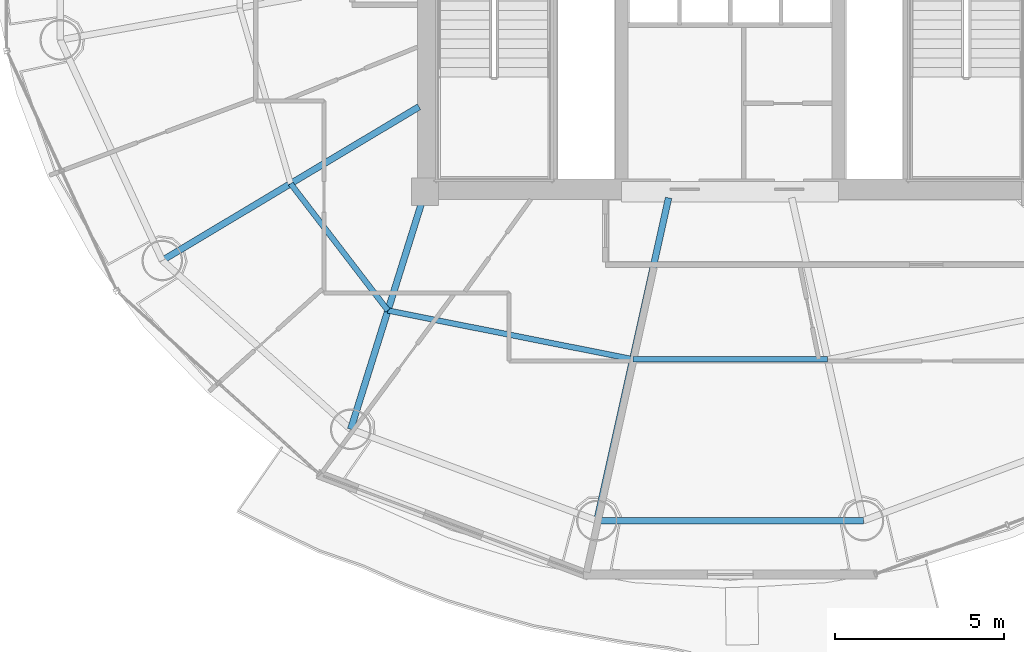
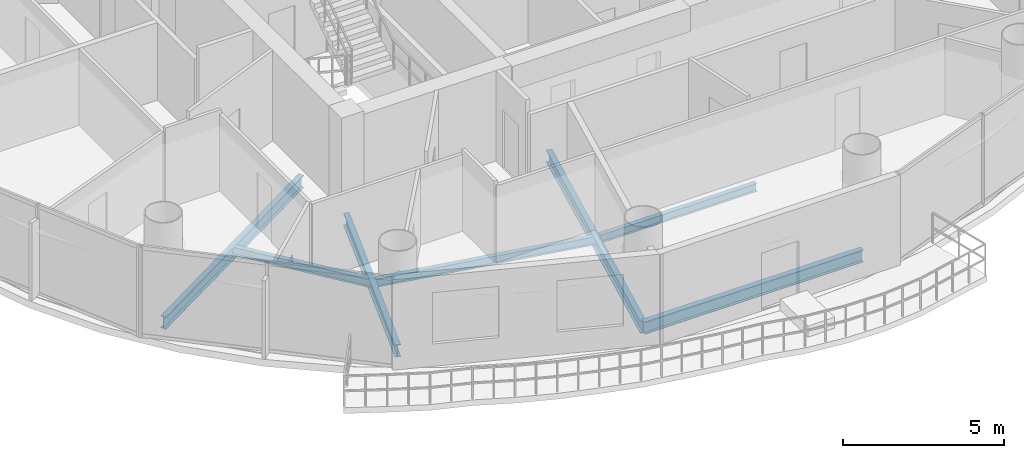
# One storey, part 4 of 26: 7 beams.
"""IFC4 building model written with IfcOpenShell, lengths in metres."""

from ifc_helpers import new_model, si_unit, direction, frame, origin, origin_2d, place, context, subcontext, project, spatial, i_section, extrude, material, material_profile, profile_set, type_object, element, save


model = new_model("IFC4")

# Units and contexts
model_context = context("Model", 3, precision=1e-05, world=origin(), true_north=direction((-0.2419218956, 0.970295726276)))
body_context = subcontext(model_context, "Body", "Model", "MODEL_VIEW")
ifc_project = project(units=[si_unit("LENGTHUNIT", "METRE"), si_unit("AREAUNIT", "SQUARE_METRE"), si_unit("VOLUMEUNIT", "CUBIC_METRE"), si_unit("PLANEANGLEUNIT", "RADIAN"), si_unit("MASSUNIT", "GRAM", prefix="KILO")], contexts=[model_context])

# Site, building, storey
site_placement = place(None, origin())
site = spatial("IfcSite", under=ifc_project, at=site_placement, CompositionType="ELEMENT")
building_placement = place(site_placement, origin())
building = spatial("IfcBuilding", under=site, at=building_placement, Name="Cobrevalo Terracotta Tower", CompositionType="ELEMENT")
storey_placement = place(building_placement, frame((0.0, 0.0, 217.10009765625)))
storey = spatial("IfcBuildingStorey", under=building, at=storey_placement, Name="L57", CompositionType="ELEMENT", Elevation=217.10009765625)

# Beams
ifc_material = material(Name="Steel S355", Category="steel")
ifc_material_profile_1 = material_profile(ifc_material, i_section(OverallWidth=0.194091796875, OverallDepth=0.468994140625, WebThickness=0.011474609375, FlangeThickness=0.0205078125, at=origin_2d()), Name="W 460x106")
ifc_profile_set_1 = profile_set([ifc_material_profile_1], Name="Steel S355")
beam_type_1 = type_object("IfcBeamType", Name="Structural Beam W 460x106 (Steel S355)", PredefinedType="BEAM", material=ifc_profile_set_1)
beam_1_placement = place(storey_placement, frame((21.245849609375, 16.77197265625, -0.49951171875), z_axis=(0.858046392192, 0.513572184651, 0.0), x_axis=(-0.513572184651, 0.858046392192, 0.0)))
element("IfcBeam", 1, at=beam_1_placement, inside=storey, type_object=beam_type_1, Name="L57 radial floor girder 10", PredefinedType="BEAM", context=body_context, shape_type="SweptSolid", body=[
    extrude(i_section(OverallWidth=0.194091796875, OverallDepth=0.468994140625, WebThickness=0.011474609375, FlangeThickness=0.0205078125, at=origin_2d()), origin(), (0.0, 0.0, 1.0), 8.827392578125),
])
beam_2_placement = place(storey_placement, frame((26.80517578125, 11.7919921875, -0.49951171875), z_axis=(0.298871212691, 0.954293454984, 0.0), x_axis=(-0.954293454984, 0.298871212691, 0.0)))
element("IfcBeam", 2, at=beam_2_placement, inside=storey, type_object=beam_type_1, Name="L57 radial floor girder 11", PredefinedType="BEAM", context=body_context, shape_type="SweptSolid", body=[
    extrude(i_section(OverallWidth=0.194091796875, OverallDepth=0.468994140625, WebThickness=0.011474609375, FlangeThickness=0.0205078125, at=origin_2d()), origin(), (0.0, 0.0, 1.0), 7.34375),
])
beam_3_placement = place(storey_placement, frame((34.06884765625, 9.096923828125, -0.49951171875), z_axis=(0.216782061165, 0.976220025382, 0.0), x_axis=(-0.976220025382, 0.216782061165, 0.0)))
element("IfcBeam", 3, at=beam_3_placement, inside=storey, type_object=beam_type_1, Name="L57 radial floor girder 12", PredefinedType="BEAM", context=body_context, shape_type="SweptSolid", body=[
    extrude(i_section(OverallWidth=0.194091796875, OverallDepth=0.468994140625, WebThickness=0.011474609375, FlangeThickness=0.0205078125, at=origin_2d()), origin(), (0.0, 0.0, 1.0), 9.755126953125),
])
ifc_material_profile_2 = material_profile(ifc_material, i_section(OverallWidth=0.1650390625, OverallDepth=0.31005859375, WebThickness=0.005859375, FlangeThickness=0.009765625, at=origin_2d()), Name="W 310x38.7")
ifc_profile_set_2 = profile_set([ifc_material_profile_2], Name="Steel S355")
beam_type_2 = type_object("IfcBeamType", Name="Structural Joist W 310x38.7 (Steel S355)", PredefinedType="JOIST", material=ifc_profile_set_2)
beam_4_placement = place(storey_placement, frame((25.032958984375, 19.03857421875, -0.420166015625), z_axis=(0.608464146296, -0.793581364872, 0.0), x_axis=(0.793581364872, 0.608464146296, 0.0)))
element("IfcBeam", 4, at=beam_4_placement, inside=storey, type_object=beam_type_2, Name="L57 circumferential secondary floor joist 10", PredefinedType="JOIST", context=body_context, shape_type="SweptSolid", body=[
    extrude(i_section(OverallWidth=0.1650390625, OverallDepth=0.31005859375, WebThickness=0.005859375, FlangeThickness=0.009765625, at=origin_2d()), origin(), (0.0, 0.0, 1.0), 4.716064453125),
])
beam_5_placement = place(storey_placement, frame((27.902587890625, 15.2958984375, -0.420166015625), z_axis=(0.980768907748, -0.195172614871, 0.0), x_axis=(0.195172614871, 0.980768907748, 0.0)))
element("IfcBeam", 5, at=beam_5_placement, inside=storey, type_object=beam_type_2, Name="L57 circumferential secondary floor joist 11", PredefinedType="JOIST", context=body_context, shape_type="SweptSolid", body=[
    extrude(i_section(OverallWidth=0.1650390625, OverallDepth=0.31005859375, WebThickness=0.005859375, FlangeThickness=0.009765625, at=origin_2d()), origin(), (0.0, 0.0, 1.0), 7.365234375),
])
beam_6_placement = place(storey_placement, frame((35.126220703125, 13.8583984375, -0.420166015625), z_axis=(1.0, 0.0, 0.0), x_axis=(0.0, 1.0, 0.0)))
element("IfcBeam", 6, at=beam_6_placement, inside=storey, type_object=beam_type_2, Name="L57 circumferential secondary floor joist 12", PredefinedType="JOIST", context=body_context, shape_type="SweptSolid", body=[
    extrude(i_section(OverallWidth=0.1650390625, OverallDepth=0.31005859375, WebThickness=0.005859375, FlangeThickness=0.009765625, at=origin_2d()), origin(), (0.0, 0.0, 1.0), 5.74755859375),
])
ifc_material_profile_3 = material_profile(ifc_material, i_section(OverallWidth=0.194091796875, OverallDepth=0.468994140625, WebThickness=0.011474609375, FlangeThickness=0.0205078125, at=origin_2d()), Name="W 460x106")
ifc_profile_set_3 = profile_set([ifc_material_profile_3], Name="Steel S355")
beam_type_3 = type_object("IfcBeamType", Name="Structural Spandrel W 460x106 (Steel S355)", PredefinedType="SPANDREL", material=ifc_profile_set_3)
beam_7_placement = place(storey_placement, frame((34.06884765625, 9.096923828125, -0.49951171875), z_axis=(1.0, 0.0, 0.0), x_axis=(0.0, 1.0, 0.0)))
element("IfcBeam", 7, at=beam_7_placement, inside=storey, type_object=beam_type_3, Name="L57 perimeter ring spandrel 12", PredefinedType="SPANDREL", context=body_context, shape_type="SweptSolid", body=[
    extrude(i_section(OverallWidth=0.194091796875, OverallDepth=0.468994140625, WebThickness=0.011474609375, FlangeThickness=0.0205078125, at=origin_2d()), origin(), (0.0, 0.0, 1.0), 7.8623046875),
])

save(model, "model.ifc")
